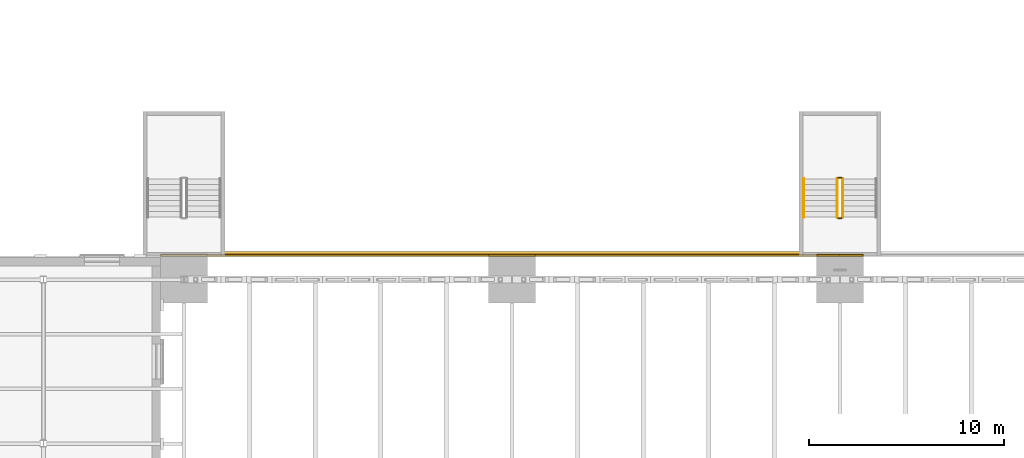
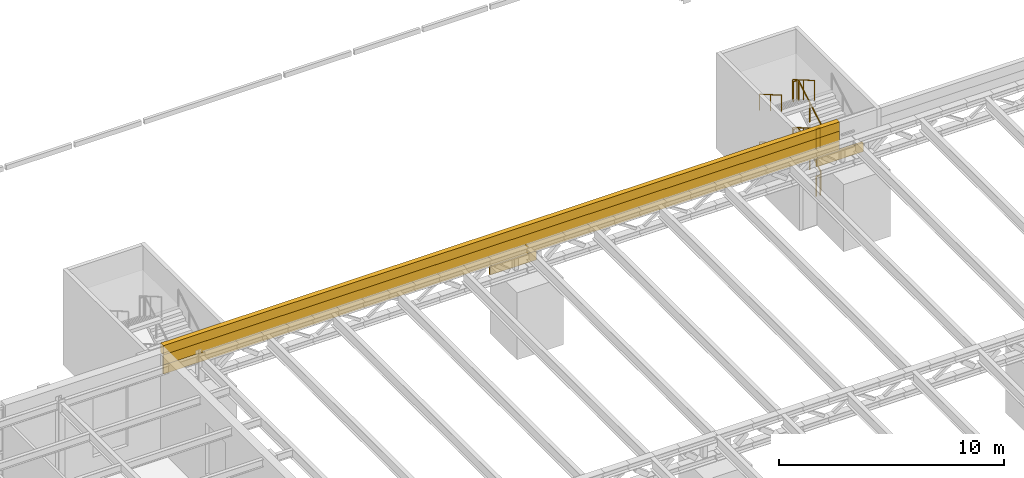
# One storey, part 82 of 93: 10 railings, 5 coverings.
"""IFC4 building model written with IfcOpenShell, lengths in metres."""

from ifc_helpers import new_model, si_unit, direction, frame, origin, origin_2d, place, context, subcontext, project, spatial, rectangle, circle, extrude, material, layer, layer_set, type_object, element, save


model = new_model("IFC4")

# Units and contexts
model_context = context("Model", 3, precision=1e-05, world=origin(), true_north=direction((0.0, 1.0)))
body_context = subcontext(model_context, "Body", "Model", "MODEL_VIEW")
ifc_project = project(units=[si_unit("LENGTHUNIT", "METRE"), si_unit("AREAUNIT", "SQUARE_METRE"), si_unit("VOLUMEUNIT", "CUBIC_METRE"), si_unit("PLANEANGLEUNIT", "RADIAN"), si_unit("MASSUNIT", "GRAM", prefix="KILO")], contexts=[model_context])

# Site, building, storey
site_placement = place(None, origin())
site = spatial("IfcSite", under=ifc_project, at=site_placement, CompositionType="ELEMENT")
building_placement = place(site_placement, origin())
building = spatial("IfcBuilding", under=site, at=building_placement, Name="Verrick Yard Athletic Hall", CompositionType="ELEMENT")
storey_placement = place(building_placement, frame((0.0, 0.0, 8.800048828125)))
storey = spatial("IfcBuildingStorey", under=building, at=storey_placement, Name="L02", CompositionType="ELEMENT", Elevation=8.800048828125)

# Coverings
ifc_material_1 = material(Name="Limestone cladding", Category="masonry")
ifc_layer_1 = layer(ifc_material_1, 0.25)
ifc_layer_set_1 = layer_set([ifc_layer_1], Name="Cornice")
covering_type_1 = type_object("IfcCoveringType", Name="Cornice", PredefinedType="MOLDING", material=ifc_layer_set_1)
covering_1_placement = place(storey_placement, frame((56.1875, 54.125, 4.699951171875), z_axis=(0.0, 0.0, 1.0), x_axis=(1.0, 0.0, 0.0)))
element("IfcCovering", 1, at=covering_1_placement, inside=storey, type_object=covering_type_1, Name="Cornice N1", PredefinedType="MOLDING", context=body_context, shape_type="SweptSolid", body=[
    extrude(rectangle(XDim=34.77490234375, YDim=0.25, at=origin_2d()), origin(), (0.0, 0.0, 1.0), 0.5),
])
ifc_layer_2 = layer(ifc_material_1, 0.10009765625)
ifc_layer_set_2 = layer_set([ifc_layer_2], Name="Entablature band")
covering_type_2 = type_object("IfcCoveringType", Name="Entablature band", PredefinedType="CLADDING", material=ifc_layer_set_2)
covering_2_placement = place(storey_placement, frame((56.1875, 54.050048828125, 3.64990234375), z_axis=(0.0, 0.0, 1.0), x_axis=(1.0, 0.0, 0.0)))
element("IfcCovering", 2, at=covering_2_placement, inside=storey, type_object=covering_type_2, Name="Architrave N1", PredefinedType="CLADDING", context=body_context, shape_type="SweptSolid", body=[
    extrude(rectangle(XDim=34.77490234375, YDim=0.10009765625, at=origin_2d()), origin(), (0.0, 0.0, 1.0), 0.5),
])
covering_3_placement = place(storey_placement, frame((56.1875, 54.050048828125, 4.14990234375), z_axis=(0.0, 0.0, 1.0), x_axis=(1.0, 0.0, 0.0)))
element("IfcCovering", 3, at=covering_3_placement, inside=storey, type_object=covering_type_2, Name="Frieze N1", PredefinedType="CLADDING", context=body_context, shape_type="SweptSolid", body=[
    extrude(rectangle(XDim=34.77490234375, YDim=0.10009765625, at=origin_2d()), origin(), (0.0, 0.0, 1.0), 0.550048828125),
])
ifc_layer_3 = layer(ifc_material_1, 0.10009765625)
ifc_layer_set_3 = layer_set([ifc_layer_3], Name="Impost and capital moulding")
covering_type_3 = type_object("IfcCoveringType", Name="Impost and capital moulding", PredefinedType="MOLDING", material=ifc_layer_set_3)
for number, where, z_axis, x_axis, name in (
    (4, (56.800048828125, 54.050048828125, 3.14990234375), (0.0, 0.0, 1.0), (1.0, 0.0, 0.0), "Capital N2"),
    (5, (73.60009765625, 54.050048828125, 3.14990234375), (0.0, 0.0, 1.0), (1.0, 0.0, 0.0), "Capital N3"),
):
    element("IfcCovering", number, at=place(storey_placement, frame(where, z_axis=z_axis, x_axis=x_axis)), inside=storey, type_object=covering_type_3, Name=name, PredefinedType="MOLDING", context=body_context, shape_type="SweptSolid", body=[
        extrude(rectangle(XDim=2.39990234375, YDim=0.10009765625, at=origin_2d()), origin(), (0.0, 0.0, 1.0), 0.5),
    ])

# Railings
ifc_material_2 = material(Name="Stainless steel", Category="steel")
railing_type_1 = type_object("IfcRailingType", Name="Stair and core guard 1100", PredefinedType="GUARDRAIL", material=ifc_material_2)
railing_1_placement = place(storey_placement, frame((73.75, 56.0, 0.162353515625)))
element("IfcRailing", 6, at=railing_1_placement, inside=storey, type_object=railing_type_1, Name="L02 North deck escape 3 stair guard 1", PredefinedType="GUARDRAIL", context=body_context, shape_type="SweptSolid", body=[
    extrude(circle(Radius=0.02392578125, at=origin_2d()), frame((0.0, 0.0, 1.076171875), z_axis=(0.0, 0.864855337533, 0.502021160053), x_axis=(-1.0, 0.0, 0.0)), (0.0, 0.0, 1.0), 2.26611328125),
    extrude(circle(Radius=0.02099609375, at=origin_2d()), origin(), (0.0, 0.0, 1.0), 1.052001953125),
    extrude(circle(Radius=0.02099609375, at=origin_2d()), frame((0.0, 0.97998046875, 0.56884765625)), (0.0, 0.0, 1.0), 1.052001953125),
    extrude(circle(Radius=0.02099609375, at=origin_2d()), frame((0.0, 1.9599609375, 1.1376953125)), (0.0, 0.0, 1.0), 1.052001953125),
])
railing_2_placement = place(storey_placement, frame((73.699951171875, 58.010009765625, 1.300048828125)))
element("IfcRailing", 7, at=railing_2_placement, inside=storey, type_object=railing_type_1, Name="L02 North deck escape 3 stair guard 2", PredefinedType="GUARDRAIL", context=body_context, shape_type="SweptSolid", body=[
    extrude(circle(Radius=0.02392578125, at=origin_2d()), frame((0.0, 0.0, 1.076171875), z_axis=(-1.0, 0.0, 0.0), x_axis=(0.0, -1.0, 0.0)), (0.0, 0.0, 1.0), 0.199951171875),
    extrude(circle(Radius=0.02099609375, at=origin_2d()), origin(), (0.0, 0.0, 1.0), 1.052001953125),
    extrude(circle(Radius=0.02099609375, at=origin_2d()), frame((-0.199951171875, 0.0, 0.0)), (0.0, 0.0, 1.0), 1.052001953125),
])
railing_3_placement = place(storey_placement, frame((73.449951171875, 57.9599609375, 1.46240234375)))
element("IfcRailing", 8, at=railing_3_placement, inside=storey, type_object=railing_type_1, Name="L02 North deck escape 3 stair guard 3", PredefinedType="GUARDRAIL", context=body_context, shape_type="SweptSolid", body=[
    extrude(circle(Radius=0.02392578125, at=origin_2d()), frame((0.0, 0.0, 1.076171875), z_axis=(0.0, -0.864902109995, 0.501940574298), x_axis=(1.0, 0.0, 0.0)), (0.0, 0.0, 1.0), 2.26611328125),
    extrude(circle(Radius=0.02099609375, at=origin_2d()), origin(), (0.0, 0.0, 1.0), 1.052001953125),
    extrude(circle(Radius=0.02099609375, at=origin_2d()), frame((0.0, -0.97998046875, 0.56884765625)), (0.0, 0.0, 1.0), 1.052001953125),
    extrude(circle(Radius=0.02099609375, at=origin_2d()), frame((0.0, -1.9599609375, 1.137451171875)), (0.0, 0.0, 1.0), 1.052001953125),
])
railing_4_placement = place(storey_placement, frame((73.699951171875, 55.949951171875, 2.599853515625)))
element("IfcRailing", 9, at=railing_4_placement, inside=storey, type_object=railing_type_1, Name="L02 North deck escape 3 stair guard 4", PredefinedType="GUARDRAIL", context=body_context, shape_type="SweptSolid", body=[
    extrude(circle(Radius=0.02392578125, at=origin_2d()), frame((0.0, 0.0, 1.076171875), z_axis=(-1.0, 0.0, 0.0), x_axis=(0.0, -1.0, 0.0)), (0.0, 0.0, 1.0), 0.199951171875),
    extrude(circle(Radius=0.02099609375, at=origin_2d()), origin(), (0.0, 0.0, 1.0), 1.052001953125),
    extrude(circle(Radius=0.02099609375, at=origin_2d()), frame((-0.199951171875, 0.0, 0.0)), (0.0, 0.0, 1.0), 1.052001953125),
])
railing_5_placement = place(storey_placement, frame((73.75, 56.0, 2.762451171875)))
element("IfcRailing", 10, at=railing_5_placement, inside=storey, type_object=railing_type_1, Name="L02 North deck escape 3 stair guard 5", PredefinedType="GUARDRAIL", context=body_context, shape_type="SweptSolid", body=[
    extrude(circle(Radius=0.02392578125, at=origin_2d()), frame((0.0, 0.0, 1.076171875), z_axis=(0.0, 0.864902109995, 0.501940574298), x_axis=(-1.0, 0.0, 0.0)), (0.0, 0.0, 1.0), 2.26611328125),
    extrude(circle(Radius=0.02099609375, at=origin_2d()), origin(), (0.0, 0.0, 1.0), 1.052001953125),
    extrude(circle(Radius=0.02099609375, at=origin_2d()), frame((0.0, 0.97998046875, 0.56884765625)), (0.0, 0.0, 1.0), 1.052001953125),
    extrude(circle(Radius=0.02099609375, at=origin_2d()), frame((0.0, 1.9599609375, 1.137451171875)), (0.0, 0.0, 1.0), 1.052001953125),
])
railing_6_placement = place(storey_placement, frame((73.699951171875, 58.010009765625, 3.89990234375)))
element("IfcRailing", 11, at=railing_6_placement, inside=storey, type_object=railing_type_1, Name="L02 North deck escape 3 stair guard 6", PredefinedType="GUARDRAIL", context=body_context, shape_type="SweptSolid", body=[
    extrude(circle(Radius=0.02392578125, at=origin_2d()), frame((0.0, 0.0, 1.076171875), z_axis=(-1.0, 0.0, 0.0), x_axis=(0.0, -1.0, 0.0)), (0.0, 0.0, 1.0), 0.199951171875),
    extrude(circle(Radius=0.02099609375, at=origin_2d()), origin(), (0.0, 0.0, 1.0), 1.052001953125),
    extrude(circle(Radius=0.02099609375, at=origin_2d()), frame((-0.199951171875, 0.0, 0.0)), (0.0, 0.0, 1.0), 1.052001953125),
])
railing_7_placement = place(storey_placement, frame((73.449951171875, 57.9599609375, 4.0625)))
element("IfcRailing", 12, at=railing_7_placement, inside=storey, type_object=railing_type_1, Name="L02 North deck escape 3 stair guard 7", PredefinedType="GUARDRAIL", context=body_context, shape_type="SweptSolid", body=[
    extrude(circle(Radius=0.02392578125, at=origin_2d()), frame((0.0, 0.0, 1.076171875), z_axis=(0.0, -0.864902109995, 0.501940574298), x_axis=(1.0, 0.0, 0.0)), (0.0, 0.0, 1.0), 2.26611328125),
    extrude(circle(Radius=0.02099609375, at=origin_2d()), origin(), (0.0, 0.0, 1.0), 1.052001953125),
    extrude(circle(Radius=0.02099609375, at=origin_2d()), frame((0.0, -0.97998046875, 0.56884765625)), (0.0, 0.0, 1.0), 1.052001953125),
    extrude(circle(Radius=0.02099609375, at=origin_2d()), frame((0.0, -1.9599609375, 1.137451171875)), (0.0, 0.0, 1.0), 1.052001953125),
])
railing_8_placement = place(storey_placement, frame((73.699951171875, 55.949951171875, 0.0)))
element("IfcRailing", 13, at=railing_8_placement, inside=storey, type_object=railing_type_1, Name="L02 North deck escape 3 stair guard 8", PredefinedType="GUARDRAIL", context=body_context, shape_type="SweptSolid", body=[
    extrude(circle(Radius=0.02392578125, at=origin_2d()), frame((0.0, 0.0, 1.076171875), z_axis=(-1.0, 0.0, 0.0), x_axis=(0.0, -1.0, 0.0)), (0.0, 0.0, 1.0), 0.199951171875),
    extrude(circle(Radius=0.02099609375, at=origin_2d()), origin(), (0.0, 0.0, 1.0), 1.052001953125),
    extrude(circle(Radius=0.02099609375, at=origin_2d()), frame((-0.199951171875, 0.0, 0.0)), (0.0, 0.0, 1.0), 1.052001953125),
])
railing_type_2 = type_object("IfcRailingType", Name="Stair handrail 900", PredefinedType="HANDRAIL", material=ifc_material_2)
for number, where, name in (
    (14, (71.75, 57.9599609375, 1.46240234375), "L02 North deck escape 3 stair handrail 2"),
    (15, (71.75, 57.9599609375, 4.0625), "L02 North deck escape 3 stair handrail 4"),
):
    element("IfcRailing", number, at=place(storey_placement, frame(where)), inside=storey, type_object=railing_type_2, Name=name, PredefinedType="HANDRAIL", context=body_context, shape_type="SweptSolid", body=[
        extrude(circle(Radius=0.02392578125, at=origin_2d()), frame((0.0, 0.0, 0.8759765625), z_axis=(0.0, -0.864902109995, 0.501940574298), x_axis=(1.0, 0.0, 0.0)), (0.0, 0.0, 1.0), 2.26611328125),
        extrude(circle(Radius=0.02099609375, at=origin_2d()), origin(), (0.0, 0.0, 1.0), 0.851806640625),
        extrude(circle(Radius=0.02099609375, at=origin_2d()), frame((0.0, -0.97998046875, 0.56884765625)), (0.0, 0.0, 1.0), 0.851806640625),
        extrude(circle(Radius=0.02099609375, at=origin_2d()), frame((0.0, -1.9599609375, 1.137451171875)), (0.0, 0.0, 1.0), 0.851806640625),
    ])

save(model, "model.ifc")
